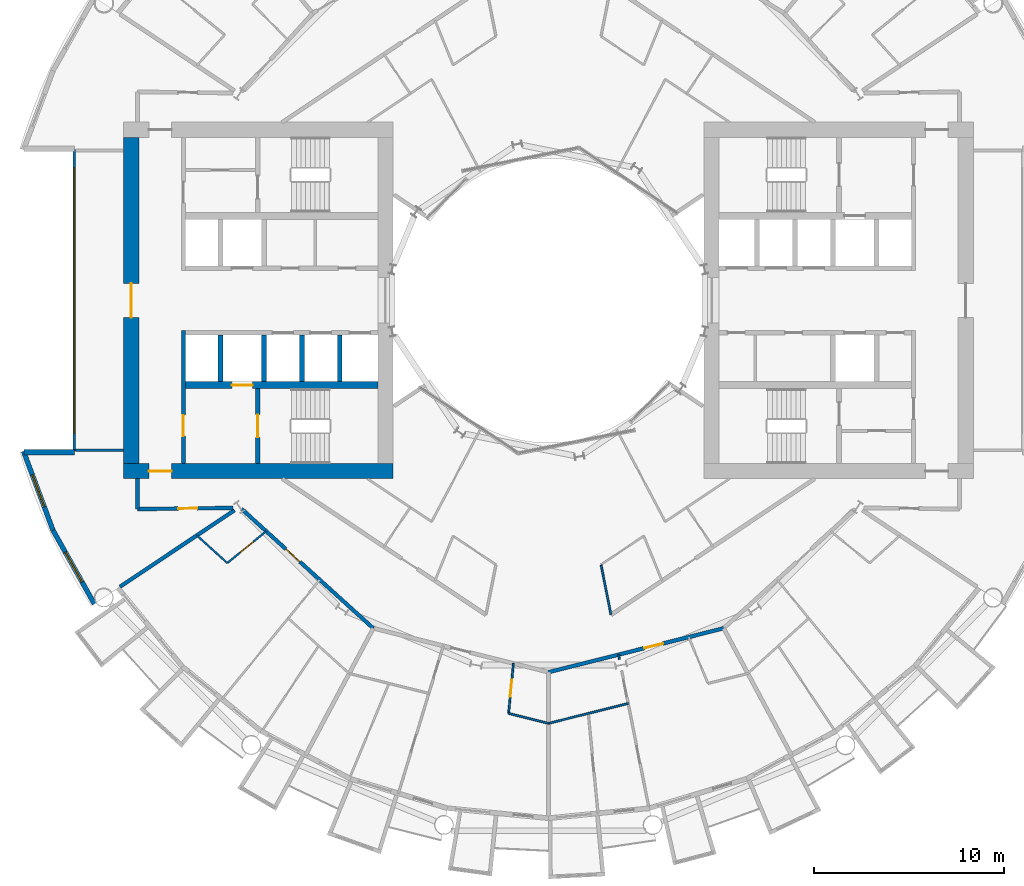
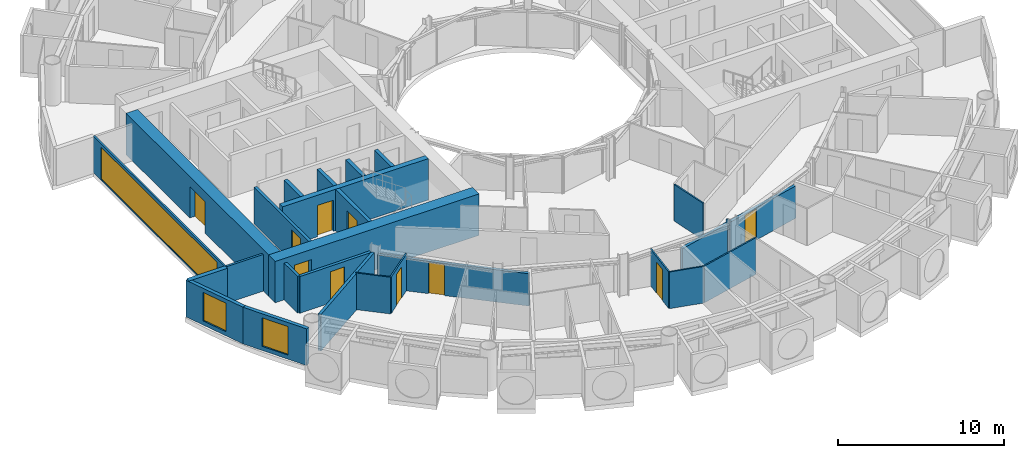
# One storey, part 14 of 26: 26 walls, 10 doors, 3 windows, 13 openings.
"""IFC4 building model written with IfcOpenShell, lengths in metres."""

import ifcopenshell
import ifcopenshell.guid

model = None  # the IFC model being written
_history = None  # IfcOwnerHistory: only IFC2X3 demands one
_inside = {}  # id of a spatial element -> (the spatial element, [elements in it])
_under = {}  # id of a project, library or spatial element -> (it, [spatial elements below it])
_declared = {}  # id of a project -> (the project, [libraries it declares])
_typed = {}  # id of a type object -> (the type object, [elements of that type])
_made_of = {}  # id of a material, layer set ... -> (it, [elements and type objects made of it])


def new_model(schema):
    """Start an empty IFC model of exactly this schema.

    Asked for "IFC4X3", IfcOpenShell would pick the latest addendum, in which some entities
    have other attributes; the version numbers below select the first issue.
    IFC2X3 requires an IfcOwnerHistory on every rooted entity: one is made here for all.
    """
    global model, _history
    if schema == "IFC4X3":
        model = ifcopenshell.file(schema_version=(4, 3, 0, 0))
    else:
        model = ifcopenshell.file(schema=schema)
    _inside.clear()
    _under.clear()
    _declared.clear()
    _typed.clear()
    _made_of.clear()
    _history = None
    if model.schema == "IFC2X3":
        org = make("IfcOrganization", Name="unknown")
        user = make(
            "IfcPersonAndOrganization",
            ThePerson=make("IfcPerson", FamilyName="unknown"),
            TheOrganization=org,
        )
        app = make(
            "IfcApplication",
            ApplicationDeveloper=org,
            Version="unknown",
            ApplicationFullName="unknown",
            ApplicationIdentifier="unknown",
        )
        _history = make(
            "IfcOwnerHistory",
            OwningUser=user,
            OwningApplication=app,
            ChangeAction="ADDED",
            CreationDate=0,
        )
    return model


def make(cls, **values):
    """One entity of the class cls with the attributes given. An attribute that is None is left unset."""
    return model.create_entity(
        cls, **{name: value for name, value in values.items() if value is not None}
    )


def rooted(cls, **values):
    """An entity with a GlobalId (a new one), such as an element, a storey or a relation."""
    return make(cls, GlobalId=ifcopenshell.guid.new(), OwnerHistory=_history, **values)


def si_unit(unit_type, name, prefix=None):
    """IfcSIUnit, for example si_unit("LENGTHUNIT", "METRE", prefix="MILLI")."""
    return make("IfcSIUnit", UnitType=unit_type, Prefix=prefix, Name=name)


def assignment(units):
    """IfcUnitAssignment: the units of a project."""
    return None if units is None else make("IfcUnitAssignment", Units=units)


def point(xyz):
    """IfcCartesianPoint."""
    return None if xyz is None else make("IfcCartesianPoint", Coordinates=xyz)


def direction(xyz):
    """IfcDirection."""
    return None if xyz is None else make("IfcDirection", DirectionRatios=xyz)


def frame(location, z_axis=None, x_axis=None):
    """IfcAxis2Placement3D, a coordinate frame: its origin and axes. An axis left out is left unset."""
    return make(
        "IfcAxis2Placement3D",
        Location=point(location),
        Axis=direction(z_axis),
        RefDirection=direction(x_axis),
    )


def frame_2d(location, x_axis=None):
    """IfcAxis2Placement2D, a coordinate frame in the plane: its origin and x axis."""
    return make(
        "IfcAxis2Placement2D", Location=point(location), RefDirection=direction(x_axis)
    )


def origin():
    """The frame at (0, 0, 0) with its axes left unset."""
    return frame((0.0, 0.0, 0.0))


def place(relative_to, where):
    """IfcLocalPlacement: puts the frame where relative to a parent placement (None: the world)."""
    return make(
        "IfcLocalPlacement", PlacementRelTo=relative_to, RelativePlacement=where
    )


def context(
    kind, dimensions, precision=None, world=None, true_north=None, identifier=None
):
    """IfcGeometricRepresentationContext, for example the 3D "Model" context."""
    return make(
        "IfcGeometricRepresentationContext",
        ContextIdentifier=identifier,
        ContextType=kind,
        CoordinateSpaceDimension=dimensions,
        Precision=precision,
        WorldCoordinateSystem=world,
        TrueNorth=true_north,
    )


def subcontext(parent, identifier, kind, view, scale=None):
    """IfcGeometricRepresentationSubContext, for example "Body" below "Model"."""
    return make(
        "IfcGeometricRepresentationSubContext",
        ContextIdentifier=identifier,
        ContextType=kind,
        ParentContext=parent,
        TargetScale=scale,
        TargetView=view,
    )


def project(units=None, contexts=None):
    """IfcProject with its units and contexts."""
    return rooted(
        "IfcProject",
        Name="project",
        RepresentationContexts=contexts,
        UnitsInContext=assignment(units),
    )


def spatial(cls, under=None, at=None, **own):
    """A site, building, storey or space (cls), placed at a placement, below another one or the project."""
    s = rooted(cls, ObjectPlacement=at, **own)
    if under is not None:
        _under.setdefault(under.id(), (under, []))[1].append(s)
    return s


def profile(cls, at=None, kind="AREA", **sizes):
    """A parametric profile (cls). Its sizes go by their IFC names, for example OverallWidth=200.0."""
    return make(cls, ProfileType=kind, Position=at, **sizes)


def rectangle(**sizes):
    """IfcRectangleProfileDef."""
    return profile("IfcRectangleProfileDef", **sizes)


def extrude(swept, where, along, depth):
    """IfcExtrudedAreaSolid: the profile swept, set in the frame where, extruded along a direction by depth."""
    return make(
        "IfcExtrudedAreaSolid",
        SweptArea=swept,
        Position=where,
        ExtrudedDirection=direction(along),
        Depth=depth,
    )


def shape(context_of_items, identifier, shape_type, items):
    """IfcShapeRepresentation: the items that make up one representation, for example the "Body"."""
    return make(
        "IfcShapeRepresentation",
        ContextOfItems=context_of_items,
        RepresentationIdentifier=identifier,
        RepresentationType=shape_type,
        Items=items,
    )


def material(Name=None, Category=None):
    """IfcMaterial."""
    return make("IfcMaterial", Name=Name, Category=Category)


def layer(
    of_material, thickness, ventilated=None, Name=None, Category=None, Priority=None
):
    """IfcMaterialLayer: one layer of a wall or slab, of a material (None: an air gap)."""
    return make(
        "IfcMaterialLayer",
        Material=of_material,
        LayerThickness=thickness,
        IsVentilated=ventilated,
        Name=Name,
        Category=Category,
        Priority=Priority,
    )


def layer_set(layers, Name=None):
    """IfcMaterialLayerSet."""
    return make("IfcMaterialLayerSet", MaterialLayers=layers, LayerSetName=Name)


def made_of(thing, what):
    """Note that an element or type object is made of a material, layer set ...; save() writes the relation."""
    if what is not None:
        _made_of.setdefault(what.id(), (what, []))[1].append(thing)
    return thing


def type_object(cls, material=None, **own):
    """A type object (cls), such as IfcWallType, which elements share."""
    return made_of(rooted(cls, **own), material)


def element(
    cls,
    number,
    at=None,
    inside=None,
    cuts=None,
    type_object=None,
    material=None,
    context=None,
    identifier="Body",
    shape_type=None,
    held_by="IfcProductDefinitionShape",
    body=None,
    shapes=None,
    **own,
):
    """One element of the class cls, such as IfcWall. Its Tag is "e" and its number.

    at: its placement. inside: the storey or other place that contains it. cuts: it is an
    opening in that element (IfcRelVoidsElement). A single representation is given by context,
    identifier, shape_type and body (its items); several are given by shapes. held_by: the class
    of the entity that holds the representations. save() writes the other relations.
    """
    e = rooted(cls, Tag="e%d" % number, ObjectPlacement=at, **own)
    if body is not None:
        shapes = [shape(context, identifier, shape_type, body)]
    if shapes is not None:
        e.Representation = make(held_by, Representations=shapes)
    if inside is not None:
        _inside.setdefault(inside.id(), (inside, []))[1].append(e)
    if cuts is not None:
        rooted(
            "IfcRelVoidsElement", RelatingBuildingElement=cuts, RelatedOpeningElement=e
        )
    if type_object is not None:
        _typed.setdefault(type_object.id(), (type_object, []))[1].append(e)
    return made_of(e, material)


def fill(opening, filler):
    """IfcRelFillsElement: the door or window that sits in an opening."""
    return rooted(
        "IfcRelFillsElement",
        RelatingOpeningElement=opening,
        RelatedBuildingElement=filler,
    )


def aggregate(whole, parts):
    """IfcRelAggregates: a whole, such as a stair, and the parts it consists of."""
    return rooted("IfcRelAggregates", RelatingObject=whole, RelatedObjects=parts)


def save(model, path):
    """Write the relations noted so far, then the file.

    IfcRelAggregates (storeys below a building ...), IfcRelContainedInSpatialStructure (elements
    in a storey), IfcRelDefinesByType, IfcRelAssociatesMaterial and IfcRelDeclares: one each for
    every whole, place, type object, material and project.
    """
    for whole, parts in _under.values():
        aggregate(whole, parts)
    for where, things in _inside.values():
        rooted(
            "IfcRelContainedInSpatialStructure",
            RelatedElements=things,
            RelatingStructure=where,
        )
    for kind, things in _typed.values():
        rooted("IfcRelDefinesByType", RelatedObjects=things, RelatingType=kind)
    for what, things in _made_of.values():
        rooted("IfcRelAssociatesMaterial", RelatedObjects=things, RelatingMaterial=what)
    for by, libraries in _declared.values():
        rooted("IfcRelDeclares", RelatingContext=by, RelatedDefinitions=libraries)
    model.write(path)


model = new_model("IFC4")

# Units and contexts
model_context = context("Model", 3, precision=1e-05, world=origin(), true_north=direction((0.0, 1.0)))
body_context = subcontext(model_context, "Body", "Model", "MODEL_VIEW")
ifc_project = project(units=[si_unit("LENGTHUNIT", "METRE"), si_unit("AREAUNIT", "SQUARE_METRE"), si_unit("VOLUMEUNIT", "CUBIC_METRE"), si_unit("PLANEANGLEUNIT", "RADIAN"), si_unit("MASSUNIT", "GRAM", prefix="KILO")], contexts=[model_context])

# Site, building, storey
site_placement = place(None, origin())
site = spatial("IfcSite", under=ifc_project, at=site_placement, CompositionType="ELEMENT")
building_placement = place(site_placement, origin())
building = spatial("IfcBuilding", under=site, at=building_placement, Name="Maasbend Ring Residences", CompositionType="ELEMENT")
storey_placement = place(building_placement, frame((0.0, 0.0, 28.89990234375)))
storey = spatial("IfcBuildingStorey", under=building, at=storey_placement, Name="L07", CompositionType="ELEMENT", Elevation=28.89990234375)

# Wall, opening, door
ifc_material_1 = material(Name="Concrete C70/85", Category="concrete")
ifc_layer_1 = layer(ifc_material_1, 0.25)
ifc_layer_set_1 = layer_set([ifc_layer_1], Name="Concrete C70/85")
wall_type_1 = type_object("IfcWallType", Name="CORE WALL 250 C70/85", PredefinedType="SHEAR", material=ifc_layer_set_1)
wall_1_placement = place(storey_placement, frame((-15.324951171875, -4.64990234375, 0.0), z_axis=(0.0, 0.0, 1.0), x_axis=(0.0, -1.0, 0.0)))
wall_1 = element("IfcWall", 1, at=wall_1_placement, inside=storey, type_object=wall_type_1, Name="L07 core W wall STEN", PredefinedType="SHEAR", context=body_context, shape_type="SweptSolid", body=[
    extrude(rectangle(XDim=3.9501953125, YDim=0.25, at=frame_2d((1.97509765625, 0.0))), origin(), (0.0, 0.0, 1.0), 3.050048828125),
])
opening_1_placement = place(wall_1_placement, frame((1.375, 0.0, 0.0)))
opening_1 = element("IfcOpeningElement", 2, at=opening_1_placement, cuts=wall_1, Name="Opening D-W0709", PredefinedType="OPENING", context=body_context, shape_type="SweptSolid", body=[
    extrude(rectangle(XDim=1.199951171875, YDim=2.300048828125, at=frame_2d((0.60009765625, 1.14990234375))), frame((0.0, 0.135009765625, 0.0), z_axis=(0.0, -1.0, 0.0), x_axis=(1.0, 0.0, 0.0)), (0.0, 0.0, 1.0), 0.27001953125),
])
ifc_material_2 = material(Name="Steel, powder coated", Category="steel")
door_type_1 = type_object("IfcDoorType", Name="STAIR DOOR 1200 X 2300 FD60", OperationType="NOTDEFINED", PredefinedType="DOOR", material=ifc_material_2)
door_1_placement = place(opening_1_placement, origin())
door_1 = element("IfcDoor", 3, at=door_1_placement, inside=storey, type_object=door_type_1, Name="Stair door ST-W L07", OperationType="SINGLE_SWING_LEFT", OverallHeight=2.300048828125, OverallWidth=1.199951171875, PredefinedType="DOOR", context=body_context, shape_type="SweptSolid", body=[
    extrude(rectangle(XDim=1.199951171875, YDim=2.300048828125, at=frame_2d((0.60009765625, 1.14990234375))), frame((0.0, 0.02490234375, 0.0), z_axis=(0.0, -1.0, 0.0), x_axis=(1.0, 0.0, 0.0)), (0.0, 0.0, 1.0), 0.050048828125),
])
fill(opening_1, door_1)

ifc_material_3 = material(Name="Concrete C70/85", Category="concrete")
ifc_layer_2 = layer(ifc_material_3, 0.375)
ifc_layer_set_2 = layer_set([ifc_layer_2], Name="Concrete C70/85")
wall_type_2 = type_object("IfcWallType", Name="CORE WALL 375 C70/85", PredefinedType="SHEAR", material=ifc_layer_set_2)
wall_2_placement = place(storey_placement, frame((-9.0, -4.46240234375, 0.0), z_axis=(0.0, 0.0, 1.0), x_axis=(-1.0, 0.0, 0.0)))
wall_2 = element("IfcWall", 4, at=wall_2_placement, inside=storey, type_object=wall_type_2, Name="L07 core W wall BN", PredefinedType="SHEAR", context=body_context, shape_type="SweptSolid", body=[
    extrude(rectangle(XDim=10.14990234375, YDim=0.375, at=frame_2d((5.074951171875, 0.0))), origin(), (0.0, 0.0, 1.0), 3.050048828125),
])
opening_2_placement = place(wall_2_placement, frame((6.60009765625, 0.0, 0.0)))
opening_2 = element("IfcOpeningElement", 5, at=opening_2_placement, cuts=wall_2, Name="Opening LD-W0704", PredefinedType="OPENING", context=body_context, shape_type="SweptSolid", body=[
    extrude(rectangle(XDim=1.10009765625, YDim=2.300048828125, at=frame_2d((0.550048828125, 1.14990234375))), frame((0.0, 0.197509765625, 0.0), z_axis=(0.0, -1.0, 0.0), x_axis=(1.0, 0.0, 0.0)), (0.0, 0.0, 1.0), 0.39501953125),
])
ifc_material_4 = material(Name="Stainless steel 316", Category="steel")
door_type_2 = type_object("IfcDoorType", Name="LANDING DOOR 1100 X 2300 FD60", OperationType="DOUBLE_DOOR_SLIDING", PredefinedType="DOOR", material=ifc_material_4)
door_2_placement = place(opening_2_placement, origin())
door_2 = element("IfcDoor", 6, at=door_2_placement, inside=storey, type_object=door_type_2, Name="Landing door FF-W L07", OperationType="DOUBLE_DOOR_SLIDING", OverallHeight=2.300048828125, OverallWidth=1.10009765625, PredefinedType="DOOR", context=body_context, shape_type="SweptSolid", body=[
    extrude(rectangle(XDim=1.10009765625, YDim=2.300048828125, at=frame_2d((0.550048828125, 1.14990234375))), frame((0.0, 0.02490234375, 0.0), z_axis=(0.0, -1.0, 0.0), x_axis=(1.0, 0.0, 0.0)), (0.0, 0.0, 1.0), 0.050048828125),
])
fill(opening_2, door_2)

ifc_material_5 = material(Name="Concrete C70/85", Category="concrete")
ifc_layer_3 = layer(ifc_material_5, 0.800048828125)
ifc_layer_set_3 = layer_set([ifc_layer_3], Name="Concrete C70/85")
wall_type_3 = type_object("IfcWallType", Name="CORE WALL 800 C70/85", PredefinedType="SHEAR", material=ifc_layer_set_3)
wall_3_placement = place(storey_placement, frame((-22.39990234375, -9.0, 0.0), z_axis=(0.0, 0.0, 1.0), x_axis=(1.0, 0.0, 0.0)))
wall_3 = element("IfcWall", 7, at=wall_3_placement, inside=storey, type_object=wall_type_3, Name="L07 core W wall PN", PredefinedType="SHEAR", context=body_context, shape_type="SweptSolid", body=[
    extrude(rectangle(XDim=14.199951171875, YDim=0.800048828125, at=frame_2d((7.10009765625, 0.0))), origin(), (0.0, 0.0, 1.0), 3.050048828125),
])
opening_3_placement = place(wall_3_placement, frame((1.324951171875, 0.0, 0.0)))
opening_3 = element("IfcOpeningElement", 8, at=opening_3_placement, cuts=wall_3, Name="Opening D-W0713", PredefinedType="OPENING", context=body_context, shape_type="SweptSolid", body=[
    extrude(rectangle(XDim=1.199951171875, YDim=2.300048828125, at=frame_2d((0.60009765625, 1.14990234375))), frame((0.0, 0.41015625, 0.0), z_axis=(0.0, -1.0, 0.0), x_axis=(1.0, 0.0, 0.0)), (0.0, 0.0, 1.0), 0.820068359375),
])
ifc_material_6 = material(Name="Steel, powder coated", Category="steel")
door_type_3 = type_object("IfcDoorType", Name="CORRIDOR DOOR 1200 X 2300 FD30S", OperationType="NOTDEFINED", PredefinedType="DOOR", material=ifc_material_6)
door_3_placement = place(opening_3_placement, origin())
door_3 = element("IfcDoor", 9, at=door_3_placement, inside=storey, type_object=door_type_3, Name="Corridor door L07", OperationType="SINGLE_SWING_RIGHT", OverallHeight=2.300048828125, OverallWidth=1.199951171875, PredefinedType="DOOR", context=body_context, shape_type="SweptSolid", body=[
    extrude(rectangle(XDim=1.199951171875, YDim=2.300048828125, at=frame_2d((0.60009765625, 1.14990234375))), frame((0.0, 0.02490234375, 0.0), z_axis=(0.0, -1.0, 0.0), x_axis=(1.0, 0.0, 0.0)), (0.0, 0.0, 1.0), 0.050048828125),
])
fill(opening_3, door_3)

wall_4_placement = place(storey_placement, frame((-22.0, -8.60009765625, 0.0), z_axis=(0.0, 0.0, 1.0), x_axis=(0.0, 1.0, 0.0)))
wall_4 = element("IfcWall", 10, at=wall_4_placement, inside=storey, type_object=wall_type_3, Name="L07 core W wall POUT", PredefinedType="SHEAR", context=body_context, shape_type="SweptSolid", body=[
    extrude(rectangle(XDim=17.2001953125, YDim=0.800048828125, at=frame_2d((8.60009765625, 0.0))), origin(), (0.0, 0.0, 1.0), 3.050048828125),
])
opening_4_placement = place(wall_4_placement, frame((7.699951171875, 0.0, 0.0)))
opening_4 = element("IfcOpeningElement", 11, at=opening_4_placement, cuts=wall_4, Name="Opening D-W0715", PredefinedType="OPENING", context=body_context, shape_type="SweptSolid", body=[
    extrude(rectangle(XDim=1.800048828125, YDim=2.300048828125, at=frame_2d((0.89990234375, 1.14990234375))), frame((0.0, 0.41015625, 0.0), z_axis=(0.0, -1.0, 0.0), x_axis=(1.0, 0.0, 0.0)), (0.0, 0.0, 1.0), 0.820068359375),
])
ifc_material_7 = material(Name="Aluminium frame, clear glass", Category="aluminium")
door_type_4 = type_object("IfcDoorType", Name="ENTRANCE DOOR 1800 X 2300 FD60", OperationType="NOTDEFINED", PredefinedType="DOOR", material=ifc_material_7)
door_4_placement = place(opening_4_placement, origin())
door_4 = element("IfcDoor", 12, at=door_4_placement, inside=storey, type_object=door_type_4, Name="Lobby glazed door L07", OperationType="SINGLE_SWING_LEFT", OverallHeight=2.300048828125, OverallWidth=1.800048828125, PredefinedType="DOOR", context=body_context, shape_type="SweptSolid", body=[
    extrude(rectangle(XDim=1.800048828125, YDim=2.300048828125, at=frame_2d((0.89990234375, 1.14990234375))), frame((0.0, 0.02490234375, 0.0), z_axis=(0.0, -1.0, 0.0), x_axis=(1.0, 0.0, 0.0)), (0.0, 0.0, 1.0), 0.050048828125),
])
fill(opening_4, door_4)

ifc_material_8 = material(Name="Concrete C30/37", Category="concrete")
ifc_layer_4 = layer(ifc_material_8, 0.199951171875)
ifc_layer_set_4 = layer_set([ifc_layer_4], Name="Concrete C30/37")
wall_type_4 = type_object("IfcWallType", Name="CORRIDOR WALL 200 CONCRETE", PredefinedType="PARTITIONING", material=ifc_layer_set_4)
wall_5_placement = place(storey_placement, frame((-16.179931640625, -10.993896484375, 0.0), z_axis=(0.0, 0.0, 1.0), x_axis=(0.74089212117, -0.671624050186, 0.0)))
wall_5 = element("IfcWall", 13, at=wall_5_placement, inside=storey, type_object=wall_type_4, Name="U-L07-w011", PredefinedType="PARTITIONING", context=body_context, shape_type="SweptSolid", body=[
    extrude(rectangle(XDim=9.368408203125, YDim=0.199951171875, at=frame_2d((4.68408203125, 0.0))), origin(), (0.0, 0.0, 1.0), 2.380126953125),
])
opening_5_placement = place(wall_5_placement, frame((3.153076171875, 0.0, 0.0)))
opening_5 = element("IfcOpeningElement", 14, at=opening_5_placement, cuts=wall_5, Name="Opening D-0729", PredefinedType="OPENING", context=body_context, shape_type="SweptSolid", body=[
    extrude(rectangle(XDim=1.0, YDim=2.300048828125, at=frame_2d((0.5, 1.14990234375))), frame((0.0, 0.10986328125, 0.0), z_axis=(0.0, -1.0, 0.0), x_axis=(1.0, 0.0, 0.0)), (0.0, 0.0, 1.0), 0.219970703125),
])
ifc_material_9 = material(Name="Timber, fire-rated, painted", Category="wood")
door_type_5 = type_object("IfcDoorType", Name="FLAT ENTRANCE DOOR 1000 X 2300 FIRE-RATED", OperationType="NOTDEFINED", PredefinedType="DOOR", material=ifc_material_9)
door_5_placement = place(opening_5_placement, origin())
door_5 = element("IfcDoor", 15, at=door_5_placement, inside=storey, type_object=door_type_5, Name="D-0729", OperationType="SINGLE_SWING_LEFT", OverallHeight=2.300048828125, OverallWidth=1.0, PredefinedType="DOOR", context=body_context, shape_type="SweptSolid", body=[
    extrude(rectangle(XDim=1.0, YDim=2.300048828125, at=frame_2d((0.5, 1.14990234375))), frame((0.0, 0.02490234375, 0.0), z_axis=(0.0, -1.0, 0.0), x_axis=(1.0, 0.0, 0.0)), (0.0, 0.0, 1.0), 0.050048828125),
])
fill(opening_5, door_5)

wall_6_placement = place(storey_placement, frame((-0.0009765625, -19.60107421875, 0.0), z_axis=(0.0, 0.0, 1.0), x_axis=(0.970014215304, 0.243048188859, 0.0)))
wall_6 = element("IfcWall", 16, at=wall_6_placement, inside=storey, type_object=wall_type_4, Name="U-L07-w013", PredefinedType="PARTITIONING", context=body_context, shape_type="SweptSolid", body=[
    extrude(rectangle(XDim=9.525634765625, YDim=0.199951171875, at=frame_2d((4.7626953125, 0.0))), origin(), (0.0, 0.0, 1.0), 2.380126953125),
])
opening_6_placement = place(wall_6_placement, frame((5.220947265625, 0.0, 0.0)))
opening_6 = element("IfcOpeningElement", 17, at=opening_6_placement, cuts=wall_6, Name="Opening D-0739", PredefinedType="OPENING", context=body_context, shape_type="SweptSolid", body=[
    extrude(rectangle(XDim=1.0, YDim=2.300048828125, at=frame_2d((0.5, 1.14990234375))), frame((0.0, 0.10986328125, 0.0), z_axis=(0.0, -1.0, 0.0), x_axis=(1.0, 0.0, 0.0)), (0.0, 0.0, 1.0), 0.219970703125),
])
door_6_placement = place(opening_6_placement, origin())
door_6 = element("IfcDoor", 18, at=door_6_placement, inside=storey, type_object=door_type_5, Name="D-0739", OperationType="SINGLE_SWING_RIGHT", OverallHeight=2.300048828125, OverallWidth=1.0, PredefinedType="DOOR", context=body_context, shape_type="SweptSolid", body=[
    extrude(rectangle(XDim=1.0, YDim=2.300048828125, at=frame_2d((0.5, 1.14990234375))), frame((0.0, 0.02490234375, 0.0), z_axis=(0.0, -1.0, 0.0), x_axis=(1.0, 0.0, 0.0)), (0.0, 0.0, 1.0), 0.050048828125),
])
fill(opening_6, door_6)

wall_7_placement = place(storey_placement, frame((-21.675048828125, -11.0, 0.0), z_axis=(0.0, 0.0, 1.0), x_axis=(0.999926652916, 0.012111514691, 0.0)))
wall_7 = element("IfcWall", 19, at=wall_7_placement, inside=storey, type_object=wall_type_4, Name="U-L07-w021", PredefinedType="PARTITIONING", context=body_context, shape_type="SweptSolid", body=[
    extrude(rectangle(XDim=5.03955078125, YDim=0.199951171875, at=frame_2d((2.519775390625, 0.0))), origin(), (0.0, 0.0, 1.0), 2.7001953125),
])
opening_7_placement = place(wall_7_placement, frame((2.154052734375, 0.0, 0.0)))
opening_7 = element("IfcOpeningElement", 20, at=opening_7_placement, cuts=wall_7, Name="Opening D-0757", PredefinedType="OPENING", context=body_context, shape_type="SweptSolid", body=[
    extrude(rectangle(XDim=1.0, YDim=2.300048828125, at=frame_2d((0.5, 1.14990234375))), frame((0.0, 0.10986328125, 0.0), z_axis=(0.0, -1.0, 0.0), x_axis=(1.0, 0.0, 0.0)), (0.0, 0.0, 1.0), 0.219970703125),
])
ifc_material_10 = material(Name="Timber, painted", Category="wood")
door_type_6 = type_object("IfcDoorType", Name="ROOM DOOR 1000 X 2300", OperationType="NOTDEFINED", PredefinedType="DOOR", material=ifc_material_10)
door_7_placement = place(opening_7_placement, origin())
door_7 = element("IfcDoor", 21, at=door_7_placement, inside=storey, type_object=door_type_6, Name="D-0757", OperationType="SINGLE_SWING_RIGHT", OverallHeight=2.300048828125, OverallWidth=1.0, PredefinedType="DOOR", context=body_context, shape_type="SweptSolid", body=[
    extrude(rectangle(XDim=1.0, YDim=2.300048828125, at=frame_2d((0.5, 1.14990234375))), frame((0.0, 0.02490234375, 0.0), z_axis=(0.0, -1.0, 0.0), x_axis=(1.0, 0.0, 0.0)), (0.0, 0.0, 1.0), 0.050048828125),
])
fill(opening_7, door_7)

# Wall
wall_8_placement = place(storey_placement, frame((-21.675048828125, -11.0, 0.0), z_axis=(0.0, 0.0, 1.0), x_axis=(0.0, 1.0, 0.0)))
element("IfcWall", 22, at=wall_8_placement, inside=storey, type_object=wall_type_4, Name="U-L07-w097", PredefinedType="PARTITIONING", context=body_context, shape_type="SweptSolid", body=[
    extrude(rectangle(XDim=1.60009765625, YDim=0.199951171875, at=frame_2d((0.800048828125, 0.0))), origin(), (0.0, 0.0, 1.0), 2.7001953125),
])

# Wall, opening, window
ifc_material_11 = material(Name="Aluminium clad insulated panel", Category="aluminium")
ifc_layer_5 = layer(ifc_material_11, 0.25)
ifc_layer_set_5 = layer_set([ifc_layer_5], Name="EW-HORN")
wall_type_5 = type_object("IfcWallType", Name="EW-HORN", PredefinedType="SOLIDWALL", material=ifc_layer_set_5)
wall_9_placement = place(storey_placement, frame((-27.681884765625, -7.945068359375, 0.0), z_axis=(0.0, 0.0, 1.0), x_axis=(0.349247811493, -0.937030397675, 0.0)))
wall_9 = element("IfcWall", 23, at=wall_9_placement, inside=storey, type_object=wall_type_5, Name="Horn wall 3.1", PredefinedType="SOLIDWALL", context=body_context, shape_type="SweptSolid", body=[
    extrude(rectangle(XDim=4.4521484375, YDim=0.25, at=frame_2d((2.22607421875, 0.0))), origin(), (0.0, 0.0, 1.0), 2.7001953125),
])
opening_8_placement = place(wall_9_placement, frame((1.32666015625, 0.0, 0.300048828125)))
opening_8 = element("IfcOpeningElement", 24, at=opening_8_placement, cuts=wall_9, Name="Opening W-BX", PredefinedType="OPENING", context=body_context, shape_type="SweptSolid", body=[
    extrude(rectangle(XDim=1.800048828125, YDim=2.10009765625, at=frame_2d((0.89990234375, 1.050048828125))), frame((0.0, 0.135009765625, 0.0), z_axis=(0.0, -1.0, 0.0), x_axis=(1.0, 0.0, 0.0)), (0.0, 0.0, 1.0), 0.27001953125),
])
ifc_material_12 = material(Name="Aluminium and clear glass", Category="aluminium")
window_type_1 = type_object("IfcWindowType", Name="W-BX", PartitioningType="DOUBLE_PANEL_VERTICAL", PredefinedType="WINDOW", material=ifc_material_12)
window_1_placement = place(opening_8_placement, origin())
window_1 = element("IfcWindow", 25, at=window_1_placement, inside=storey, type_object=window_type_1, Name="Horn window 3.1", OverallHeight=2.10009765625, OverallWidth=1.800048828125, PartitioningType="SINGLE_PANEL", PredefinedType="WINDOW", context=body_context, shape_type="SweptSolid", body=[
    extrude(rectangle(XDim=1.800048828125, YDim=2.10009765625, at=frame_2d((0.89990234375, 1.050048828125))), frame((0.0, 0.030029296875, 0.0), z_axis=(0.0, -1.0, 0.0), x_axis=(1.0, 0.0, 0.0)), (0.0, 0.0, 1.0), 0.06005859375),
])
fill(opening_8, window_1)

wall_10_placement = place(storey_placement, frame((-26.126953125, -12.116943359375, 0.0), z_axis=(0.0, 0.0, 1.0), x_axis=(0.489696356642, -0.871893042919, 0.0)))
wall_10 = element("IfcWall", 26, at=wall_10_placement, inside=storey, type_object=wall_type_5, Name="Horn wall 3.2", PredefinedType="SOLIDWALL", context=body_context, shape_type="SweptSolid", body=[
    extrude(rectangle(XDim=4.45361328125, YDim=0.25, at=frame_2d((2.226806640625, 0.0))), origin(), (0.0, 0.0, 1.0), 2.7001953125),
])
opening_9_placement = place(wall_10_placement, frame((1.32666015625, 0.0, 0.300048828125)))
opening_9 = element("IfcOpeningElement", 27, at=opening_9_placement, cuts=wall_10, Name="Opening W-BX", PredefinedType="OPENING", context=body_context, shape_type="SweptSolid", body=[
    extrude(rectangle(XDim=1.800048828125, YDim=2.10009765625, at=frame_2d((0.89990234375, 1.050048828125))), frame((0.0, 0.135009765625, 0.0), z_axis=(0.0, -1.0, 0.0), x_axis=(1.0, 0.0, 0.0)), (0.0, 0.0, 1.0), 0.27001953125),
])
window_2_placement = place(opening_9_placement, origin())
window_2 = element("IfcWindow", 28, at=window_2_placement, inside=storey, type_object=window_type_1, Name="Horn window 3.2", OverallHeight=2.10009765625, OverallWidth=1.800048828125, PartitioningType="SINGLE_PANEL", PredefinedType="WINDOW", context=body_context, shape_type="SweptSolid", body=[
    extrude(rectangle(XDim=1.800048828125, YDim=2.10009765625, at=frame_2d((0.89990234375, 1.050048828125))), frame((0.0, 0.030029296875, 0.0), z_axis=(0.0, -1.0, 0.0), x_axis=(1.0, 0.0, 0.0)), (0.0, 0.0, 1.0), 0.06005859375),
])
fill(opening_9, window_2)

# Wall
ifc_material_13 = material(Name="Aluminium clad insulated panel", Category="aluminium")
ifc_layer_6 = layer(ifc_material_13, 0.300048828125)
ifc_layer_set_6 = layer_set([ifc_layer_6], Name="EW-RET")
wall_type_6 = type_object("IfcWallType", Name="EW-RET", PredefinedType="SOLIDWALL", material=ifc_layer_set_6)
wall_11_placement = place(storey_placement, frame((-25.0, -8.0, 0.0), z_axis=(0.0, 0.0, 1.0), x_axis=(-1.0, 0.0, 0.0)))
element("IfcWall", 29, at=wall_11_placement, inside=storey, type_object=wall_type_6, Name="Notch return wall west south", PredefinedType="SOLIDWALL", context=body_context, shape_type="SweptSolid", body=[
    extrude(rectangle(XDim=2.6669921875, YDim=0.300048828125, at=frame_2d((1.33349609375, 0.0))), origin(), (0.0, 0.0, 1.0), 2.7001953125),
])

# Wall, opening, window
ifc_material_14 = material(Name="Aluminium frame and clear glass", Category="aluminium")
ifc_layer_7 = layer(ifc_material_14, 0.1201171875)
ifc_layer_set_7 = layer_set([ifc_layer_7], Name="GLAZED SCREEN WALL 120 EI 60")
wall_type_7 = type_object("IfcWallType", Name="GLAZED SCREEN WALL 120 EI 60", PredefinedType="PARTITIONING", material=ifc_layer_set_7)
wall_12_placement = place(storey_placement, frame((-25.0, 7.949951171875, 0.0), z_axis=(0.0, 0.0, 1.0), x_axis=(0.0, -1.0, 0.0)))
wall_12 = element("IfcWall", 30, at=wall_12_placement, inside=storey, type_object=wall_type_7, Name="L07 core W wall FACE", PredefinedType="PARTITIONING", context=body_context, shape_type="SweptSolid", body=[
    extrude(rectangle(XDim=15.89990234375, YDim=0.1201171875, at=frame_2d((7.949951171875, 0.0))), origin(), (0.0, 0.0, 1.0), 2.7001953125),
])
opening_10_placement = place(wall_12_placement, frame((0.949951171875, 0.0, 0.10009765625)))
opening_10 = element("IfcOpeningElement", 31, at=opening_10_placement, cuts=wall_12, Name="Opening W-W0702", PredefinedType="OPENING", context=body_context, shape_type="SweptSolid", body=[
    extrude(rectangle(XDim=14.0, YDim=2.35009765625, at=frame_2d((7.0, 1.175048828125))), frame((0.0, 0.070068359375, 0.0), z_axis=(0.0, -1.0, 0.0), x_axis=(1.0, 0.0, 0.0)), (0.0, 0.0, 1.0), 0.14013671875),
])
ifc_material_15 = material(Name="Aluminium frame and clear glass", Category="aluminium")
window_type_2 = type_object("IfcWindowType", Name="FIXED WINDOW 14000 X 2350", PartitioningType="SINGLE_PANEL", PredefinedType="WINDOW", material=ifc_material_15)
window_3_placement = place(opening_10_placement, origin())
window_3 = element("IfcWindow", 32, at=window_3_placement, inside=storey, type_object=window_type_2, Name="Lobby window L07", OverallHeight=2.35009765625, OverallWidth=14.0, PartitioningType="SINGLE_PANEL", PredefinedType="WINDOW", context=body_context, shape_type="SweptSolid", body=[
    extrude(rectangle(XDim=14.0, YDim=2.35009765625, at=frame_2d((7.0, 1.175048828125))), frame((0.0, 0.030029296875, 0.0), z_axis=(0.0, -1.0, 0.0), x_axis=(1.0, 0.0, 0.0)), (0.0, 0.0, 1.0), 0.06005859375),
])
fill(opening_10, window_3)

# Walls
ifc_material_16 = material(Name="Gypsum board on steel studs", Category="steel")
ifc_layer_8 = layer(ifc_material_16, 0.10009765625)
ifc_layer_set_8 = layer_set([ifc_layer_8], Name="PARTITION 100 GYPSUM")
wall_type_8 = type_object("IfcWallType", Name="PARTITION 100 GYPSUM", PredefinedType="PARTITIONING", material=ifc_layer_set_8)
wall_13_placement = place(storey_placement, frame((-18.5419921875, -12.388916015625, 0.0), z_axis=(0.0, 0.0, 1.0), x_axis=(0.740836325503, -0.671685595212, 0.0)))
element("IfcWall", 33, at=wall_13_placement, inside=storey, type_object=wall_type_8, Name="U-L07-w003", PredefinedType="PARTITIONING", context=body_context, shape_type="SweptSolid", body=[
    extrude(rectangle(XDim=2.167724609375, YDim=0.10009765625, at=frame_2d((1.083984375, 0.0))), origin(), (0.0, 0.0, 1.0), 2.7001953125),
])
wall_14_placement = place(storey_placement, frame((-2.095947265625, -21.77392578125, 0.0), z_axis=(0.0, 0.0, 1.0), x_axis=(0.969969957613, -0.24322475476, 0.0)))
element("IfcWall", 34, at=wall_14_placement, inside=storey, type_object=wall_type_8, Name="U-L07-w006", PredefinedType="PARTITIONING", context=body_context, shape_type="SweptSolid", body=[
    extrude(rectangle(XDim=2.167236328125, YDim=0.10009765625, at=frame_2d((1.08349609375, 0.0))), origin(), (0.0, 0.0, 1.0), 2.7001953125),
])
wall_15_placement = place(storey_placement, frame((-0.006103515625, -22.301025390625, 0.0), z_axis=(0.0, 0.0, 1.0), x_axis=(0.970106148391, 0.24268098577, 0.0)))
element("IfcWall", 35, at=wall_15_placement, inside=storey, type_object=wall_type_8, Name="U-L07-w007", PredefinedType="PARTITIONING", context=body_context, shape_type="SweptSolid", body=[
    extrude(rectangle(XDim=4.346923828125, YDim=0.10009765625, at=frame_2d((2.17333984375, 0.0))), origin(), (0.0, 0.0, 1.0), 2.7001953125),
])

# Wall, opening, door
wall_16_placement = place(storey_placement, frame((-16.93603515625, -13.844970703125, 0.0), z_axis=(0.0, 0.0, 1.0), x_axis=(0.774162545943, 0.632986850147, 0.0)))
wall_16 = element("IfcWall", 36, at=wall_16_placement, inside=storey, type_object=wall_type_8, Name="U-L07-w030", PredefinedType="PARTITIONING", context=body_context, shape_type="SweptSolid", body=[
    extrude(rectangle(XDim=2.6494140625, YDim=0.10009765625, at=frame_2d((1.32470703125, 0.0))), origin(), (0.0, 0.0, 1.0), 2.7001953125),
])
opening_11_placement = place(wall_16_placement, frame((0.875, 0.0, 0.0)))
opening_11 = element("IfcOpeningElement", 37, at=opening_11_placement, cuts=wall_16, Name="Opening D-0730", PredefinedType="OPENING", context=body_context, shape_type="SweptSolid", body=[
    extrude(rectangle(XDim=0.89990234375, YDim=2.300048828125, at=frame_2d((0.449951171875, 1.14990234375))), frame((0.0, 0.06005859375, 0.0), z_axis=(0.0, -1.0, 0.0), x_axis=(1.0, 0.0, 0.0)), (0.0, 0.0, 1.0), 0.1201171875),
])
ifc_material_17 = material(Name="Timber, painted", Category="wood")
door_type_7 = type_object("IfcDoorType", Name="INTERNAL DOOR 900 X 2300", OperationType="NOTDEFINED", PredefinedType="DOOR", material=ifc_material_17)
door_8_placement = place(opening_11_placement, origin())
door_8 = element("IfcDoor", 38, at=door_8_placement, inside=storey, type_object=door_type_7, Name="D-0730", OperationType="SINGLE_SWING_LEFT", OverallHeight=2.300048828125, OverallWidth=0.89990234375, PredefinedType="DOOR", context=body_context, shape_type="SweptSolid", body=[
    extrude(rectangle(XDim=0.89990234375, YDim=2.300048828125, at=frame_2d((0.449951171875, 1.14990234375))), frame((0.0, 0.02490234375, 0.0), z_axis=(0.0, -1.0, 0.0), x_axis=(1.0, 0.0, 0.0)), (0.0, 0.0, 1.0), 0.050048828125),
])
fill(opening_11, door_8)

wall_17_placement = place(storey_placement, frame((-2.10205078125, -21.77294921875, 0.0), z_axis=(0.0, 0.0, 1.0), x_axis=(0.095970632278, 0.995384165908, 0.0)))
wall_17 = element("IfcWall", 39, at=wall_17_placement, inside=storey, type_object=wall_type_8, Name="U-L07-w047", PredefinedType="PARTITIONING", context=body_context, shape_type="SweptSolid", body=[
    extrude(rectangle(XDim=2.648193359375, YDim=0.10009765625, at=frame_2d((1.32421875, 0.0))), origin(), (0.0, 0.0, 1.0), 2.7001953125),
])
opening_12_placement = place(wall_17_placement, frame((0.8740234375, 0.0, 0.0)))
opening_12 = element("IfcOpeningElement", 40, at=opening_12_placement, cuts=wall_17, Name="Opening D-0735", PredefinedType="OPENING", context=body_context, shape_type="SweptSolid", body=[
    extrude(rectangle(XDim=0.89990234375, YDim=2.300048828125, at=frame_2d((0.449951171875, 1.14990234375))), frame((0.0, 0.06005859375, 0.0), z_axis=(0.0, -1.0, 0.0), x_axis=(1.0, 0.0, 0.0)), (0.0, 0.0, 1.0), 0.1201171875),
])
door_9_placement = place(opening_12_placement, origin())
door_9 = element("IfcDoor", 41, at=door_9_placement, inside=storey, type_object=door_type_7, Name="D-0735", OperationType="SINGLE_SWING_RIGHT", OverallHeight=2.300048828125, OverallWidth=0.89990234375, PredefinedType="DOOR", context=body_context, shape_type="SweptSolid", body=[
    extrude(rectangle(XDim=0.89990234375, YDim=2.300048828125, at=frame_2d((0.449951171875, 1.14990234375))), frame((0.0, 0.02490234375, 0.0), z_axis=(0.0, -1.0, 0.0), x_axis=(1.0, 0.0, 0.0)), (0.0, 0.0, 1.0), 0.050048828125),
])
fill(opening_12, door_9)

# Walls
wall_18_placement = place(storey_placement, frame((3.695068359375, -18.674072265625, 0.0), z_axis=(0.0, 0.0, 1.0), x_axis=(0.197040251839, -0.980395399395, 0.0)))
element("IfcWall", 42, at=wall_18_placement, inside=storey, type_object=wall_type_8, Name="U-L07-w054", PredefinedType="PARTITIONING", context=body_context, shape_type="SweptSolid", body=[
    extrude(rectangle(XDim=0.25390625, YDim=0.10009765625, at=frame_2d((0.126953125, 0.0))), origin(), (0.0, 0.0, 1.0), 2.7001953125),
])
wall_19_placement = place(storey_placement, frame((3.29296875, -16.553955078125, 0.0), z_axis=(0.0, 0.0, 1.0), x_axis=(-0.195338620417, 0.980735858105, 0.0)))
element("IfcWall", 43, at=wall_19_placement, inside=storey, type_object=wall_type_8, Name="U-L07-w112", PredefinedType="PARTITIONING", context=body_context, shape_type="SweptSolid", body=[
    extrude(rectangle(XDim=2.6572265625, YDim=0.10009765625, at=frame_2d((1.32861328125, 0.0))), origin(), (0.0, 0.0, 1.0), 2.7001953125),
])
ifc_material_18 = material(Name="Gypsum board on steel studs", Category="steel")
ifc_layer_9 = layer(ifc_material_18, 0.14990234375)
ifc_layer_set_9 = layer_set([ifc_layer_9], Name="PARTITION 150 EI 60")
wall_type_9 = type_object("IfcWallType", Name="PARTITION 150 EI 60", PredefinedType="PARTITIONING", material=ifc_layer_set_9)
wall_20_placement = place(storey_placement, frame((-22.39990234375, -7.89990234375, 0.0), z_axis=(0.0, 0.0, 1.0), x_axis=(-1.0, 0.0, 0.0)))
element("IfcWall", 44, at=wall_20_placement, inside=storey, type_object=wall_type_9, Name="L07 core W wall CITN", PredefinedType="PARTITIONING", context=body_context, shape_type="SweptSolid", body=[
    extrude(rectangle(XDim=2.5400390625, YDim=0.14990234375, at=frame_2d((1.27001953125, 0.0))), origin(), (0.0, 0.0, 1.0), 2.7001953125),
])
ifc_material_19 = material(Name="Concrete C30/37", Category="concrete")
ifc_layer_10 = layer(ifc_material_19, 0.199951171875)
ifc_layer_set_10 = layer_set([ifc_layer_10], Name="Concrete C30/37")
wall_type_10 = type_object("IfcWallType", Name="PARTY WALL 200 CONCRETE", PredefinedType="PARTITIONING", material=ifc_layer_set_10)
wall_21_placement = place(storey_placement, frame((-22.594970703125, -15.096923828125, 0.0), z_axis=(0.0, 0.0, 1.0), x_axis=(0.831465568067, 0.555576285599, 0.0)))
element("IfcWall", 45, at=wall_21_placement, inside=storey, type_object=wall_type_10, Name="U-L07-w025", PredefinedType="PARTITIONING", context=body_context, shape_type="SweptSolid", body=[
    extrude(rectangle(XDim=7.264404296875, YDim=0.199951171875, at=frame_2d((3.63232421875, 0.0))), origin(), (0.0, 0.0, 1.0), 2.7001953125),
])

# Wall, opening, door
ifc_material_20 = material(Name="Concrete C30/37", Category="concrete")
ifc_layer_11 = layer(ifc_material_20, 0.199951171875)
ifc_layer_set_11 = layer_set([ifc_layer_11], Name="Concrete C30/37")
wall_type_11 = type_object("IfcWallType", Name="SHAFT WALL 200 EI 120", PredefinedType="SOLIDWALL", material=ifc_layer_set_11)
wall_22_placement = place(storey_placement, frame((-19.25, -1.574951171875, 0.0), z_axis=(0.0, 0.0, 1.0), x_axis=(0.0, -1.0, 0.0)))
wall_22 = element("IfcWall", 46, at=wall_22_placement, inside=storey, type_object=wall_type_11, Name="L07 core W wall ENDN", PredefinedType="SOLIDWALL", context=body_context, shape_type="SweptSolid", body=[
    extrude(rectangle(XDim=7.025146484375, YDim=0.199951171875, at=frame_2d((3.5126953125, 0.0))), origin(), (0.0, 0.0, 1.0), 2.7001953125),
])
opening_13_placement = place(wall_22_placement, frame((4.47509765625, 0.0, 0.0)))
opening_13 = element("IfcOpeningElement", 47, at=opening_13_placement, cuts=wall_22, Name="Opening D-W0711", PredefinedType="OPENING", context=body_context, shape_type="SweptSolid", body=[
    extrude(rectangle(XDim=1.10009765625, YDim=2.300048828125, at=frame_2d((0.550048828125, 1.14990234375))), frame((0.0, 0.10986328125, 0.0), z_axis=(0.0, -1.0, 0.0), x_axis=(1.0, 0.0, 0.0)), (0.0, 0.0, 1.0), 0.219970703125),
])
ifc_material_21 = material(Name="Steel, powder coated", Category="steel")
door_type_8 = type_object("IfcDoorType", Name="LOBBY DOOR 1100 X 2300 FD60", OperationType="NOTDEFINED", PredefinedType="DOOR", material=ifc_material_21)
door_10_placement = place(opening_13_placement, origin())
door_10 = element("IfcDoor", 48, at=door_10_placement, inside=storey, type_object=door_type_8, Name="Lobby door L07", OperationType="SINGLE_SWING_LEFT", OverallHeight=2.300048828125, OverallWidth=1.10009765625, PredefinedType="DOOR", context=body_context, shape_type="SweptSolid", body=[
    extrude(rectangle(XDim=1.10009765625, YDim=2.300048828125, at=frame_2d((0.550048828125, 1.14990234375))), frame((0.0, 0.02490234375, 0.0), z_axis=(0.0, -1.0, 0.0), x_axis=(1.0, 0.0, 0.0)), (0.0, 0.0, 1.0), 0.050048828125),
])
fill(opening_13, door_10)

# Walls
ifc_material_22 = material(Name="Concrete C30/37", Category="concrete")
ifc_layer_12 = layer(ifc_material_22, 0.25)
ifc_layer_set_12 = layer_set([ifc_layer_12], Name="Concrete C30/37")
wall_type_12 = type_object("IfcWallType", Name="SHAFT WALL 250 EI 120", PredefinedType="SOLIDWALL", material=ifc_layer_set_12)
for number, where, z_axis, x_axis, name in (
    (49, (-15.0, -1.824951171875, 0.0), (0.0, 0.0, 1.0), (0.0, -1.0, 0.0), "L07 core W wall D150N"),
    (50, (-17.300048828125, -1.824951171875, 0.0), (0.0, 0.0, 1.0), (0.0, -1.0, 0.0), "L07 core W wall D173N"),
    (51, (-11.0, -1.824951171875, 0.0), (0.0, 0.0, 1.0), (0.0, -1.0, 0.0), "L07 core W wall D110N"),
    (52, (-13.0, -1.824951171875, 0.0), (0.0, 0.0, 1.0), (0.0, -1.0, 0.0), "L07 core W wall D130N"),
):
    element("IfcWall", number, at=place(storey_placement, frame(where, z_axis=z_axis, x_axis=x_axis)), inside=storey, type_object=wall_type_12, Name=name, PredefinedType="SOLIDWALL", context=body_context, shape_type="SweptSolid", body=[
        extrude(rectangle(XDim=2.449951171875, YDim=0.25, at=frame_2d((1.22509765625, 0.0))), origin(), (0.0, 0.0, 1.0), 2.7001953125),
    ])

save(model, "model.ifc")
